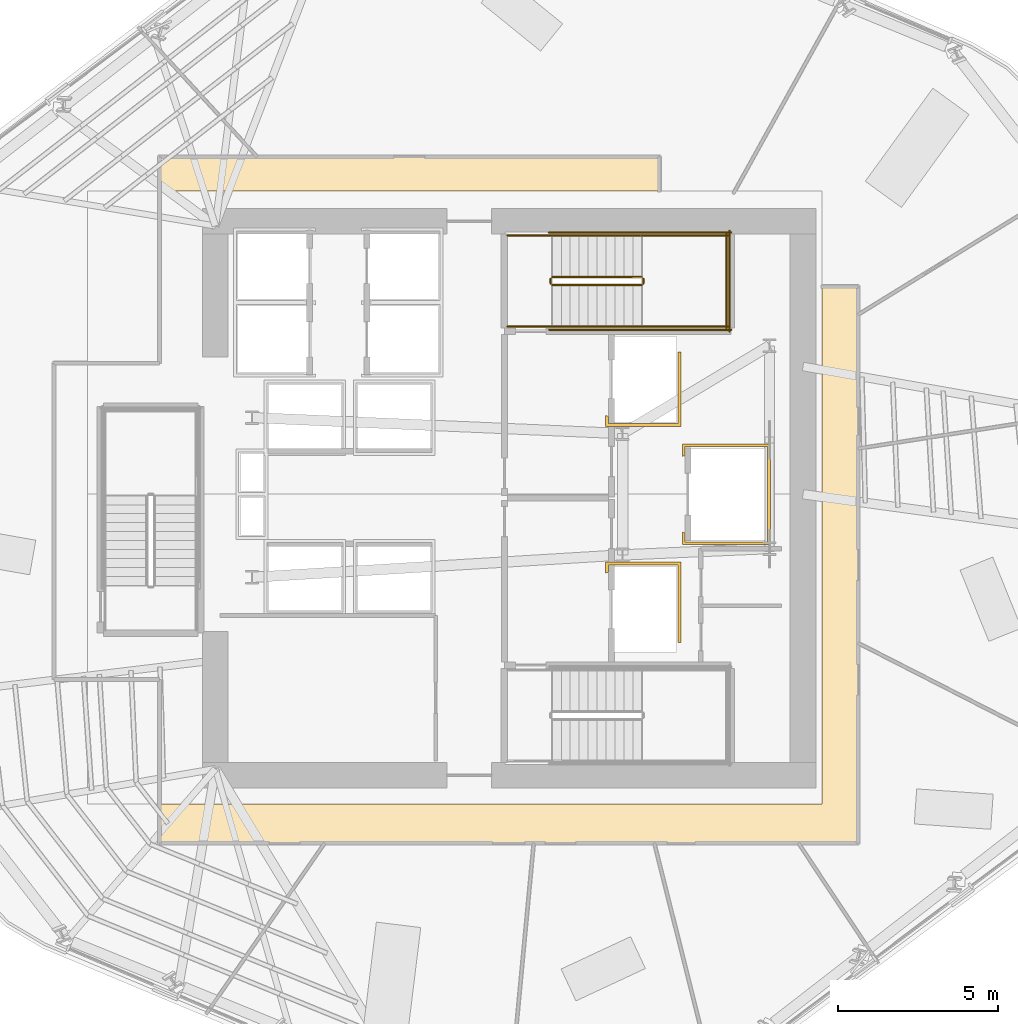
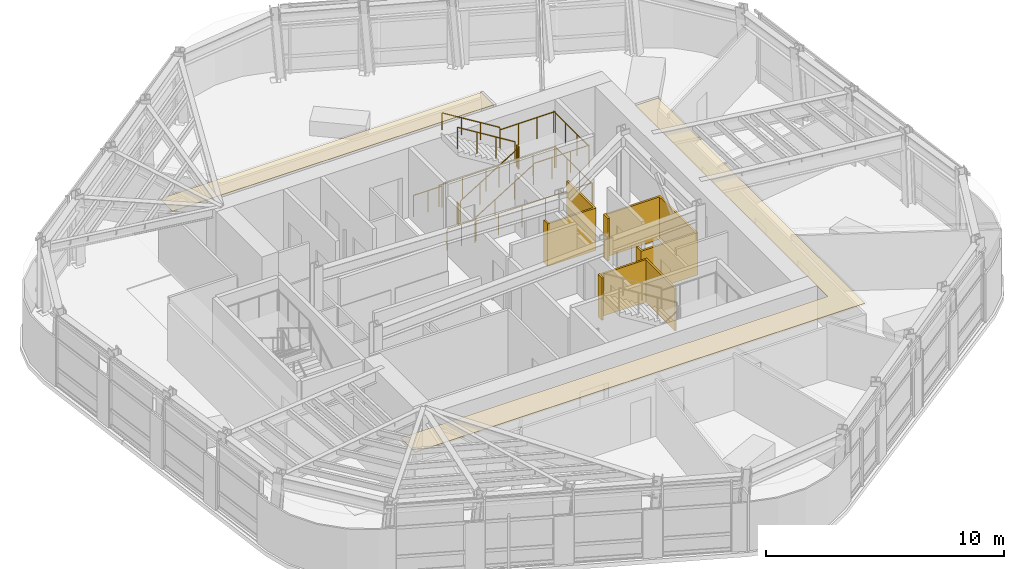
# One storey, part 12 of 14: 14 railings, 5 coverings.
"""IFC4 building model written with IfcOpenShell, lengths in metres."""

from ifc_helpers import new_model, si_unit, direction, frame, origin, origin_2d, place, context, subcontext, project, spatial, polyline, circle, outline, extrude, material, layer, layer_set, type_object, element, save


model = new_model("IFC4")

# Units and contexts
model_context = context("Model", 3, precision=1e-05, world=origin(), true_north=direction((0.0, 1.0)))
body_context = subcontext(model_context, "Body", "Model", "MODEL_VIEW")
ifc_project = project(units=[si_unit("LENGTHUNIT", "METRE"), si_unit("AREAUNIT", "SQUARE_METRE"), si_unit("VOLUMEUNIT", "CUBIC_METRE"), si_unit("PLANEANGLEUNIT", "RADIAN"), si_unit("MASSUNIT", "GRAM", prefix="KILO")], contexts=[model_context])

# Site, building, storey
site_placement = place(None, origin())
site = spatial("IfcSite", under=ifc_project, at=site_placement, CompositionType="ELEMENT")
building_placement = place(site_placement, origin())
building = spatial("IfcBuilding", under=site, at=building_placement, Name="Valkerne Bourse Tower", CompositionType="ELEMENT")
storey_placement = place(building_placement, frame((0.0, 0.0, 181.800048828125)))
storey = spatial("IfcBuildingStorey", under=building, at=storey_placement, Name="L46", CompositionType="ELEMENT", Elevation=181.800048828125)

# Coverings
ifc_material_1 = material(Name="Bronze Anodised Aluminium AA 6063-T6", Category="aluminium")
ifc_layer_1 = layer(ifc_material_1, 0.030029296875)
ifc_layer_set_1 = layer_set([ifc_layer_1], Name="Bronze Anodised Aluminium AA 6063-T6")
covering_type_1 = type_object("IfcCoveringType", Name="COV-CEIL-METAL", PredefinedType="CEILING", material=ifc_layer_set_1)
covering_1_placement = place(storey_placement, frame((0.0, 0.0, 3.22998046875)))
element("IfcCovering", 1, at=covering_1_placement, inside=storey, type_object=covering_type_1, Name="L46 Suspended Ceiling 01", PredefinedType="CEILING", context=body_context, shape_type="SweptSolid", body=[
    extrude(outline(polyline([(35.85400390625, 17.300048828125), (56.60009765625, 17.300048828125), (56.60009765625, 33.49609375), (57.716064453125, 33.49609375), (57.716064453125, 16.083984375), (35.85400390625, 16.083984375), (35.85400390625, 17.300048828125)])), origin(), (0.0, 0.0, 1.0), 0.02490234375),
])
covering_2_placement = place(storey_placement, frame((0.0, 0.0, 3.22998046875)))
element("IfcCovering", 2, at=covering_2_placement, inside=storey, type_object=covering_type_1, Name="L46 Suspended Ceiling 03", PredefinedType="CEILING", context=body_context, shape_type="SweptSolid", body=[
    extrude(outline(polyline([(35.85400390625, 37.555908203125), (51.49609375, 37.555908203125), (51.49609375, 36.5), (35.85400390625, 36.5), (35.85400390625, 37.555908203125)])), origin(), (0.0, 0.0, 1.0), 0.02490234375),
])
ifc_material_2 = material(Name="Gypsum Shaftwall Liner Board", Category="gypsum")
ifc_layer_2 = layer(ifc_material_2, 0.080078125)
ifc_layer_set_2 = layer_set([ifc_layer_2], Name="Gypsum Shaftwall Liner Board")
covering_type_2 = type_object("IfcCoveringType", Name="COV-SHF-CLAD", PredefinedType="CLADDING", material=ifc_layer_set_2)
covering_3_placement = place(storey_placement, origin())
element("IfcCovering", 3, at=covering_3_placement, inside=storey, type_object=covering_type_2, Name="L46 Hoistway & Riser Shaftwall Liner 05", PredefinedType="CLADDING", context=body_context, shape_type="SweptSolid", body=[
    extrude(outline(polyline([(52.179931640625, 22.35009765625), (52.090087890625, 22.35009765625), (52.090087890625, 24.7900390625), (49.909912109375, 24.7900390625), (49.909912109375, 24.560791015625), (49.869384765625, 24.550537109375), (49.827880859375, 24.53564453125), (49.820068359375, 24.531982421875), (49.820068359375, 24.8798828125), (52.179931640625, 24.8798828125), (52.179931640625, 22.35009765625)])), origin(), (0.0, 0.0, 1.0), 2.179931640625),
])
covering_4_placement = place(storey_placement, origin())
element("IfcCovering", 4, at=covering_4_placement, inside=storey, type_object=covering_type_2, Name="L46 Hoistway & Riser Shaftwall Liner 06", PredefinedType="CLADDING", context=body_context, shape_type="SweptSolid", body=[
    extrude(outline(polyline([(54.97998046875, 25.419921875), (52.219970703125, 25.419921875), (52.219970703125, 25.81787109375), (52.227783203125, 25.814208984375), (52.269287109375, 25.79931640625), (52.31005859375, 25.789306640625), (52.31005859375, 25.510009765625), (54.889892578125, 25.510009765625), (54.889892578125, 28.489990234375), (52.31005859375, 28.489990234375), (52.31005859375, 28.210693359375), (52.269287109375, 28.20068359375), (52.227783203125, 28.185791015625), (52.219970703125, 28.18212890625), (52.219970703125, 28.580078125), (54.97998046875, 28.580078125), (54.97998046875, 25.419921875)])), origin(), (0.0, 0.0, 1.0), 2.179931640625),
])
covering_5_placement = place(storey_placement, origin())
element("IfcCovering", 5, at=covering_5_placement, inside=storey, type_object=covering_type_2, Name="L46 Hoistway & Riser Shaftwall Liner 08", PredefinedType="CLADDING", context=body_context, shape_type="SweptSolid", body=[
    extrude(outline(polyline([(49.820068359375, 29.1201171875), (49.820068359375, 29.468017578125), (49.827880859375, 29.46435546875), (49.869384765625, 29.449462890625), (49.909912109375, 29.439208984375), (49.909912109375, 29.2099609375), (52.090087890625, 29.2099609375), (52.090087890625, 31.449951171875), (52.179931640625, 31.449951171875), (52.179931640625, 29.1201171875), (49.820068359375, 29.1201171875)])), origin(), (0.0, 0.0, 1.0), 2.179931640625),
])

# Railings
ifc_material_3 = material(Name="Galvanised Painted Steel", Category="steel")
railing_type_1 = type_object("IfcRailingType", Name="RLG-ST-GUARD-1120", PredefinedType="GUARDRAIL", material=ifc_material_3)
railing_1_placement = place(storey_placement, frame((48.14990234375, 33.550048828125, 0.172607421875)))
element("IfcRailing", 6, at=railing_1_placement, inside=storey, type_object=railing_type_1, Name="L46 ST-2 stair guard 1", PredefinedType="GUARDRAIL", context=body_context, shape_type="SweptSolid", body=[
    extrude(circle(Radius=0.02392578125, at=origin_2d()), frame((0.0, 0.0, 1.09619140625), z_axis=(0.851089632645, 0.0, 0.525020415988), x_axis=(0.0, 1.0, 0.0)), (0.0, 0.0, 1.0), 3.2900390625),
    extrude(circle(Radius=0.02099609375, at=origin_2d()), origin(), (0.0, 0.0, 1.0), 1.072021484375),
    extrude(circle(Radius=0.02099609375, at=origin_2d()), frame((0.933349609375, 0.0, 0.57568359375)), (0.0, 0.0, 1.0), 1.072021484375),
    extrude(circle(Radius=0.02099609375, at=origin_2d()), frame((1.86669921875, 0.0, 1.151611328125)), (0.0, 0.0, 1.0), 1.072021484375),
    extrude(circle(Radius=0.02099609375, at=origin_2d()), frame((2.800048828125, 0.0, 1.727294921875)), (0.0, 0.0, 1.0), 1.072021484375),
])
railing_2_placement = place(storey_placement, frame((51.0, 33.60009765625, 1.89990234375)))
element("IfcRailing", 7, at=railing_2_placement, inside=storey, type_object=railing_type_1, Name="L46 ST-2 stair guard 2", PredefinedType="GUARDRAIL", context=body_context, shape_type="SweptSolid", body=[
    extrude(circle(Radius=0.02392578125, at=origin_2d()), frame((0.0, 0.0, 1.09619140625), z_axis=(0.0, 1.0, 0.0), x_axis=(-1.0, 0.0, 0.0)), (0.0, 0.0, 1.0), 0.14990234375),
    extrude(circle(Radius=0.02099609375, at=origin_2d()), origin(), (0.0, 0.0, 1.0), 1.072021484375),
    extrude(circle(Radius=0.02099609375, at=origin_2d()), frame((0.0, 0.14990234375, 0.0)), (0.0, 0.0, 1.0), 1.072021484375),
])
for number, where, name in (
    (8, (50.949951171875, 32.25, 1.89990234375), "L46 ST-2 stair guard 3"),
    (9, (50.949951171875, 35.10009765625, 1.89990234375), "L46 ST-2 stair guard 4"),
):
    element("IfcRailing", number, at=place(storey_placement, frame(where)), inside=storey, type_object=railing_type_1, Name=name, PredefinedType="GUARDRAIL", context=body_context, shape_type="SweptSolid", body=[
        extrude(circle(Radius=0.02392578125, at=origin_2d()), frame((0.0, 0.0, 1.09619140625), z_axis=(1.0, 0.0, 0.0), x_axis=(0.0, 1.0, 0.0)), (0.0, 0.0, 1.0), 2.699951171875),
        extrude(circle(Radius=0.02099609375, at=origin_2d()), origin(), (0.0, 0.0, 1.0), 1.072021484375),
        extrude(circle(Radius=0.02099609375, at=origin_2d()), frame((0.89990234375, 0.0, 0.0)), (0.0, 0.0, 1.0), 1.072021484375),
        extrude(circle(Radius=0.02099609375, at=origin_2d()), frame((1.800048828125, 0.0, 0.0)), (0.0, 0.0, 1.0), 1.072021484375),
        extrude(circle(Radius=0.02099609375, at=origin_2d()), frame((2.699951171875, 0.0, 0.0)), (0.0, 0.0, 1.0), 1.072021484375),
    ])
railing_3_placement = place(storey_placement, frame((53.60009765625, 32.199951171875, 1.89990234375)))
element("IfcRailing", 10, at=railing_3_placement, inside=storey, type_object=railing_type_1, Name="L46 ST-2 stair guard 5", PredefinedType="GUARDRAIL", context=body_context, shape_type="SweptSolid", body=[
    extrude(circle(Radius=0.02392578125, at=origin_2d()), frame((0.0, 0.0, 1.09619140625), z_axis=(0.0, 1.0, 0.0), x_axis=(-1.0, 0.0, 0.0)), (0.0, 0.0, 1.0), 2.949951171875),
    extrude(circle(Radius=0.02099609375, at=origin_2d()), origin(), (0.0, 0.0, 1.0), 1.072021484375),
    extrude(circle(Radius=0.02099609375, at=origin_2d()), frame((0.0, 0.9833984375, 0.0)), (0.0, 0.0, 1.0), 1.072021484375),
    extrude(circle(Radius=0.02099609375, at=origin_2d()), frame((0.0, 1.966552734375, 0.0)), (0.0, 0.0, 1.0), 1.072021484375),
    extrude(circle(Radius=0.02099609375, at=origin_2d()), frame((0.0, 2.949951171875, 0.0)), (0.0, 0.0, 1.0), 1.072021484375),
])
railing_4_placement = place(storey_placement, frame((50.949951171875, 33.800048828125, 2.07275390625)))
element("IfcRailing", 11, at=railing_4_placement, inside=storey, type_object=railing_type_1, Name="L46 ST-2 stair guard 6", PredefinedType="GUARDRAIL", context=body_context, shape_type="SweptSolid", body=[
    extrude(circle(Radius=0.02392578125, at=origin_2d()), frame((0.0, 0.0, 1.09619140625), z_axis=(-0.851089632645, 0.0, 0.525020415988), x_axis=(0.0, -1.0, 0.0)), (0.0, 0.0, 1.0), 3.2900390625),
    extrude(circle(Radius=0.02099609375, at=origin_2d()), origin(), (0.0, 0.0, 1.0), 1.072021484375),
    extrude(circle(Radius=0.02099609375, at=origin_2d()), frame((-0.933349609375, 0.0, 0.57568359375)), (0.0, 0.0, 1.0), 1.072021484375),
    extrude(circle(Radius=0.02099609375, at=origin_2d()), frame((-1.86669921875, 0.0, 1.151611328125)), (0.0, 0.0, 1.0), 1.072021484375),
    extrude(circle(Radius=0.02099609375, at=origin_2d()), frame((-2.800048828125, 0.0, 1.727294921875)), (0.0, 0.0, 1.0), 1.072021484375),
])
railing_5_placement = place(storey_placement, frame((48.10009765625, 33.60009765625, 0.0)))
element("IfcRailing", 12, at=railing_5_placement, inside=storey, type_object=railing_type_1, Name="L46 ST-2 stair guard 7", PredefinedType="GUARDRAIL", context=body_context, shape_type="SweptSolid", body=[
    extrude(circle(Radius=0.02392578125, at=origin_2d()), frame((0.0, 0.0, 1.09619140625), z_axis=(0.0, 1.0, 0.0), x_axis=(-1.0, 0.0, 0.0)), (0.0, 0.0, 1.0), 0.14990234375),
    extrude(circle(Radius=0.02099609375, at=origin_2d()), origin(), (0.0, 0.0, 1.0), 1.072021484375),
    extrude(circle(Radius=0.02099609375, at=origin_2d()), frame((0.0, 0.14990234375, 0.0)), (0.0, 0.0, 1.0), 1.072021484375),
])
for number, where, name in (
    (13, (46.75, 32.25, 0.0), "L46 ST-2 stair guard 8"),
    (14, (46.75, 35.10009765625, 0.0), "L46 ST-2 stair guard 9"),
):
    element("IfcRailing", number, at=place(storey_placement, frame(where)), inside=storey, type_object=railing_type_1, Name=name, PredefinedType="GUARDRAIL", context=body_context, shape_type="SweptSolid", body=[
        extrude(circle(Radius=0.02392578125, at=origin_2d()), frame((0.0, 0.0, 1.09619140625), z_axis=(1.0, 0.0, 0.0), x_axis=(0.0, 1.0, 0.0)), (0.0, 0.0, 1.0), 1.39990234375),
        extrude(circle(Radius=0.02099609375, at=origin_2d()), origin(), (0.0, 0.0, 1.0), 1.072021484375),
        extrude(circle(Radius=0.02099609375, at=origin_2d()), frame((0.699951171875, 0.0, 0.0)), (0.0, 0.0, 1.0), 1.072021484375),
        extrude(circle(Radius=0.02099609375, at=origin_2d()), frame((1.39990234375, 0.0, 0.0)), (0.0, 0.0, 1.0), 1.072021484375),
    ])
for number, where, name in (
    (15, (48.050048828125, 32.14990234375, 0.0), "L46 ST-2 stair guard 10"),
    (16, (48.050048828125, 35.199951171875, 0.0), "L46 ST-2 stair guard 11"),
):
    element("IfcRailing", number, at=place(storey_placement, frame(where)), inside=storey, type_object=railing_type_1, Name=name, PredefinedType="GUARDRAIL", context=body_context, shape_type="SweptSolid", body=[
        extrude(circle(Radius=0.02392578125, at=origin_2d()), frame((0.0, 0.0, 1.09619140625), z_axis=(1.0, 0.0, 0.0), x_axis=(0.0, 1.0, 0.0)), (0.0, 0.0, 1.0), 5.699951171875),
        extrude(circle(Radius=0.02099609375, at=origin_2d()), origin(), (0.0, 0.0, 1.0), 1.072021484375),
        extrude(circle(Radius=0.02099609375, at=origin_2d()), frame((1.139892578125, 0.0, 0.0)), (0.0, 0.0, 1.0), 1.072021484375),
        extrude(circle(Radius=0.02099609375, at=origin_2d()), frame((2.280029296875, 0.0, 0.0)), (0.0, 0.0, 1.0), 1.072021484375),
        extrude(circle(Radius=0.02099609375, at=origin_2d()), frame((3.419921875, 0.0, 0.0)), (0.0, 0.0, 1.0), 1.072021484375),
        extrude(circle(Radius=0.02099609375, at=origin_2d()), frame((4.56005859375, 0.0, 0.0)), (0.0, 0.0, 1.0), 1.072021484375),
        extrude(circle(Radius=0.02099609375, at=origin_2d()), frame((5.699951171875, 0.0, 0.0)), (0.0, 0.0, 1.0), 1.072021484375),
    ])
railing_6_placement = place(storey_placement, frame((53.699951171875, 32.10009765625, 0.0)))
element("IfcRailing", 17, at=railing_6_placement, inside=storey, type_object=railing_type_1, Name="L46 ST-2 stair guard 12", PredefinedType="GUARDRAIL", context=body_context, shape_type="SweptSolid", body=[
    extrude(circle(Radius=0.02392578125, at=origin_2d()), frame((0.0, 0.0, 1.09619140625), z_axis=(0.0, 1.0, 0.0), x_axis=(-1.0, 0.0, 0.0)), (0.0, 0.0, 1.0), 3.14990234375),
    extrude(circle(Radius=0.02099609375, at=origin_2d()), origin(), (0.0, 0.0, 1.0), 1.072021484375),
    extrude(circle(Radius=0.02099609375, at=origin_2d()), frame((0.0, 1.050048828125, 0.0)), (0.0, 0.0, 1.0), 1.072021484375),
    extrude(circle(Radius=0.02099609375, at=origin_2d()), frame((0.0, 2.099853515625, 0.0)), (0.0, 0.0, 1.0), 1.072021484375),
    extrude(circle(Radius=0.02099609375, at=origin_2d()), frame((0.0, 3.14990234375, 0.0)), (0.0, 0.0, 1.0), 1.072021484375),
])
ifc_material_4 = material(Name="Stainless Steel AISI 316", Category="steel")
railing_type_2 = type_object("IfcRailingType", Name="RLG-ST-HANDRAIL-900", PredefinedType="HANDRAIL", material=ifc_material_4)
railing_7_placement = place(storey_placement, frame((48.14990234375, 32.25, 0.345458984375)))
element("IfcRailing", 18, at=railing_7_placement, inside=storey, type_object=railing_type_2, Name="L46 ST-2 stair handrail 1", PredefinedType="HANDRAIL", context=body_context, shape_type="SweptSolid", body=[
    extrude(circle(Radius=0.02392578125, at=origin_2d()), frame((0.0, 0.0, 0.8759765625), z_axis=(0.851089632645, 0.0, 0.525020415988), x_axis=(0.0, 1.0, 0.0)), (0.0, 0.0, 1.0), 3.2900390625),
    extrude(circle(Radius=0.02099609375, at=origin_2d()), origin(), (0.0, 0.0, 1.0), 0.851806640625),
    extrude(circle(Radius=0.02099609375, at=origin_2d()), frame((0.933349609375, 0.0, 0.57568359375)), (0.0, 0.0, 1.0), 0.851806640625),
    extrude(circle(Radius=0.02099609375, at=origin_2d()), frame((1.86669921875, 0.0, 1.151611328125)), (0.0, 0.0, 1.0), 0.851806640625),
    extrude(circle(Radius=0.02099609375, at=origin_2d()), frame((2.800048828125, 0.0, 1.727294921875)), (0.0, 0.0, 1.0), 0.851806640625),
])
railing_8_placement = place(storey_placement, frame((50.949951171875, 35.10009765625, 2.245361328125)))
element("IfcRailing", 19, at=railing_8_placement, inside=storey, type_object=railing_type_2, Name="L46 ST-2 stair handrail 2", PredefinedType="HANDRAIL", context=body_context, shape_type="SweptSolid", body=[
    extrude(circle(Radius=0.02392578125, at=origin_2d()), frame((0.0, 0.0, 0.8759765625), z_axis=(-0.851089632645, 0.0, 0.525020415988), x_axis=(0.0, -1.0, 0.0)), (0.0, 0.0, 1.0), 3.2900390625),
    extrude(circle(Radius=0.02099609375, at=origin_2d()), origin(), (0.0, 0.0, 1.0), 0.851806640625),
    extrude(circle(Radius=0.02099609375, at=origin_2d()), frame((-0.933349609375, 0.0, 0.57568359375)), (0.0, 0.0, 1.0), 0.851806640625),
    extrude(circle(Radius=0.02099609375, at=origin_2d()), frame((-1.86669921875, 0.0, 1.151611328125)), (0.0, 0.0, 1.0), 0.851806640625),
    extrude(circle(Radius=0.02099609375, at=origin_2d()), frame((-2.800048828125, 0.0, 1.727294921875)), (0.0, 0.0, 1.0), 0.851806640625),
])

save(model, "model.ifc")
